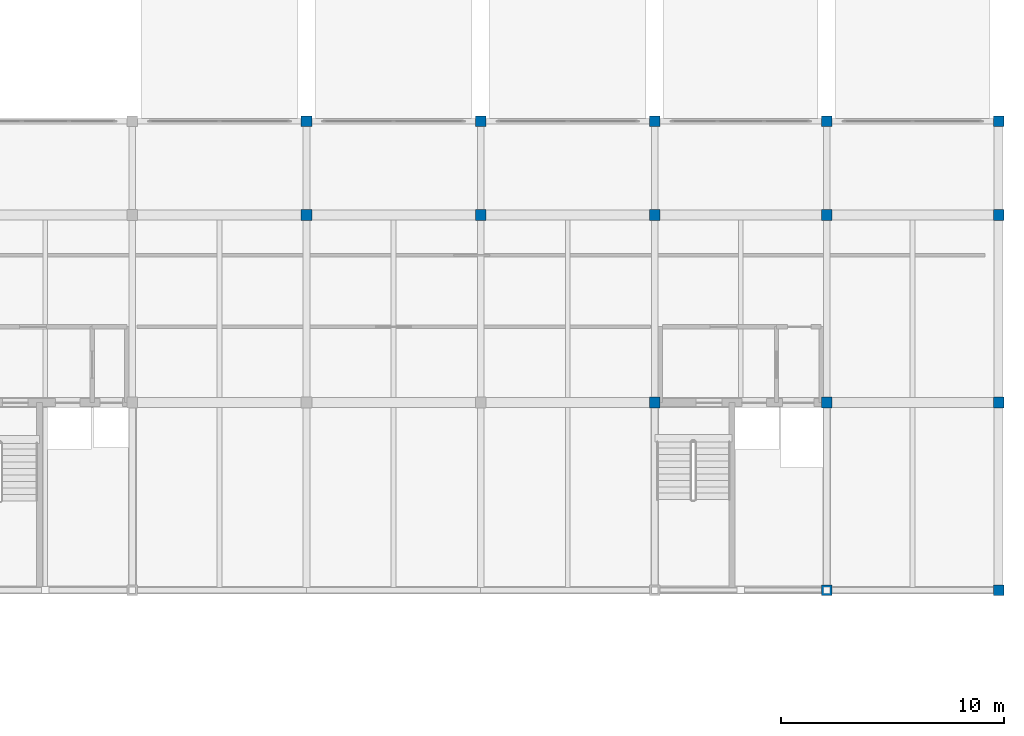
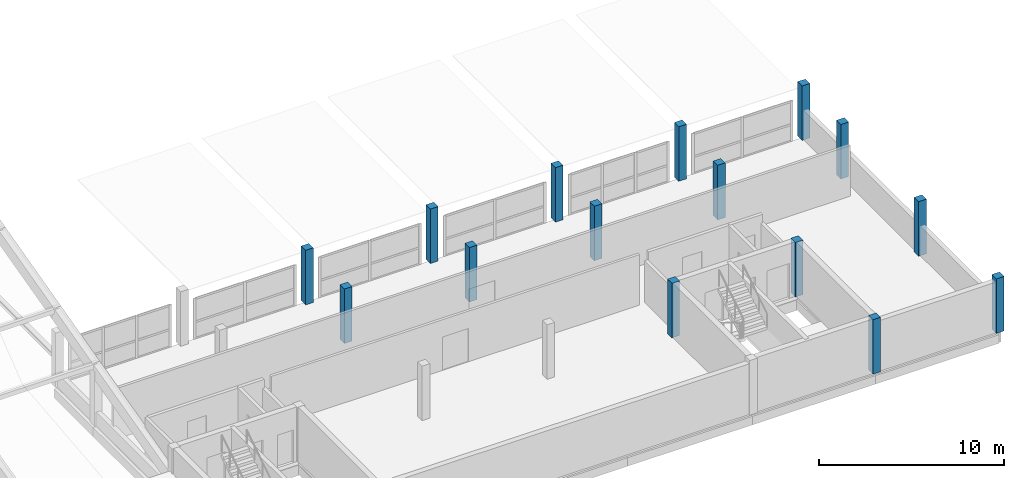
# One storey, part 7 of 51: 15 columns.
"""IFC4 building model written with IfcOpenShell, lengths in metres."""

import ifcopenshell
import ifcopenshell.guid

model = None  # the IFC model being written
_history = None  # IfcOwnerHistory: only IFC2X3 demands one
_inside = {}  # id of a spatial element -> (the spatial element, [elements in it])
_under = {}  # id of a project, library or spatial element -> (it, [spatial elements below it])
_declared = {}  # id of a project -> (the project, [libraries it declares])
_typed = {}  # id of a type object -> (the type object, [elements of that type])
_made_of = {}  # id of a material, layer set ... -> (it, [elements and type objects made of it])


def new_model(schema):
    """Start an empty IFC model of exactly this schema.

    Asked for "IFC4X3", IfcOpenShell would pick the latest addendum, in which some entities
    have other attributes; the version numbers below select the first issue.
    IFC2X3 requires an IfcOwnerHistory on every rooted entity: one is made here for all.
    """
    global model, _history
    if schema == "IFC4X3":
        model = ifcopenshell.file(schema_version=(4, 3, 0, 0))
    else:
        model = ifcopenshell.file(schema=schema)
    _inside.clear()
    _under.clear()
    _declared.clear()
    _typed.clear()
    _made_of.clear()
    _history = None
    if model.schema == "IFC2X3":
        org = make("IfcOrganization", Name="unknown")
        user = make(
            "IfcPersonAndOrganization",
            ThePerson=make("IfcPerson", FamilyName="unknown"),
            TheOrganization=org,
        )
        app = make(
            "IfcApplication",
            ApplicationDeveloper=org,
            Version="unknown",
            ApplicationFullName="unknown",
            ApplicationIdentifier="unknown",
        )
        _history = make(
            "IfcOwnerHistory",
            OwningUser=user,
            OwningApplication=app,
            ChangeAction="ADDED",
            CreationDate=0,
        )
    return model


def make(cls, **values):
    """One entity of the class cls with the attributes given. An attribute that is None is left unset."""
    return model.create_entity(
        cls, **{name: value for name, value in values.items() if value is not None}
    )


def rooted(cls, **values):
    """An entity with a GlobalId (a new one), such as an element, a storey or a relation."""
    return make(cls, GlobalId=ifcopenshell.guid.new(), OwnerHistory=_history, **values)


def si_unit(unit_type, name, prefix=None):
    """IfcSIUnit, for example si_unit("LENGTHUNIT", "METRE", prefix="MILLI")."""
    return make("IfcSIUnit", UnitType=unit_type, Prefix=prefix, Name=name)


def assignment(units):
    """IfcUnitAssignment: the units of a project."""
    return None if units is None else make("IfcUnitAssignment", Units=units)


def point(xyz):
    """IfcCartesianPoint."""
    return None if xyz is None else make("IfcCartesianPoint", Coordinates=xyz)


def direction(xyz):
    """IfcDirection."""
    return None if xyz is None else make("IfcDirection", DirectionRatios=xyz)


def frame(location, z_axis=None, x_axis=None):
    """IfcAxis2Placement3D, a coordinate frame: its origin and axes. An axis left out is left unset."""
    return make(
        "IfcAxis2Placement3D",
        Location=point(location),
        Axis=direction(z_axis),
        RefDirection=direction(x_axis),
    )


def frame_2d(location, x_axis=None):
    """IfcAxis2Placement2D, a coordinate frame in the plane: its origin and x axis."""
    return make(
        "IfcAxis2Placement2D", Location=point(location), RefDirection=direction(x_axis)
    )


def origin():
    """The frame at (0, 0, 0) with its axes left unset."""
    return frame((0.0, 0.0, 0.0))


def origin_2d():
    """The frame at (0, 0) in the plane with its x axis left unset."""
    return frame_2d((0.0, 0.0))


def place(relative_to, where):
    """IfcLocalPlacement: puts the frame where relative to a parent placement (None: the world)."""
    return make(
        "IfcLocalPlacement", PlacementRelTo=relative_to, RelativePlacement=where
    )


def context(
    kind, dimensions, precision=None, world=None, true_north=None, identifier=None
):
    """IfcGeometricRepresentationContext, for example the 3D "Model" context."""
    return make(
        "IfcGeometricRepresentationContext",
        ContextIdentifier=identifier,
        ContextType=kind,
        CoordinateSpaceDimension=dimensions,
        Precision=precision,
        WorldCoordinateSystem=world,
        TrueNorth=true_north,
    )


def subcontext(parent, identifier, kind, view, scale=None):
    """IfcGeometricRepresentationSubContext, for example "Body" below "Model"."""
    return make(
        "IfcGeometricRepresentationSubContext",
        ContextIdentifier=identifier,
        ContextType=kind,
        ParentContext=parent,
        TargetScale=scale,
        TargetView=view,
    )


def project(units=None, contexts=None):
    """IfcProject with its units and contexts."""
    return rooted(
        "IfcProject",
        Name="project",
        RepresentationContexts=contexts,
        UnitsInContext=assignment(units),
    )


def spatial(cls, under=None, at=None, **own):
    """A site, building, storey or space (cls), placed at a placement, below another one or the project."""
    s = rooted(cls, ObjectPlacement=at, **own)
    if under is not None:
        _under.setdefault(under.id(), (under, []))[1].append(s)
    return s


def profile(cls, at=None, kind="AREA", **sizes):
    """A parametric profile (cls). Its sizes go by their IFC names, for example OverallWidth=200.0."""
    return make(cls, ProfileType=kind, Position=at, **sizes)


def rectangle(**sizes):
    """IfcRectangleProfileDef."""
    return profile("IfcRectangleProfileDef", **sizes)


def extrude(swept, where, along, depth):
    """IfcExtrudedAreaSolid: the profile swept, set in the frame where, extruded along a direction by depth."""
    return make(
        "IfcExtrudedAreaSolid",
        SweptArea=swept,
        Position=where,
        ExtrudedDirection=direction(along),
        Depth=depth,
    )


def shape(context_of_items, identifier, shape_type, items):
    """IfcShapeRepresentation: the items that make up one representation, for example the "Body"."""
    return make(
        "IfcShapeRepresentation",
        ContextOfItems=context_of_items,
        RepresentationIdentifier=identifier,
        RepresentationType=shape_type,
        Items=items,
    )


def material(Name=None, Category=None):
    """IfcMaterial."""
    return make("IfcMaterial", Name=Name, Category=Category)


def material_profile(
    of_material, cross_section, Name=None, Category=None, Priority=None
):
    """IfcMaterialProfile: a cross section and its material."""
    return make(
        "IfcMaterialProfile",
        Name=Name,
        Material=of_material,
        Profile=cross_section,
        Priority=Priority,
        Category=Category,
    )


def profile_set(profiles, Name=None, composite=None):
    """IfcMaterialProfileSet."""
    return make(
        "IfcMaterialProfileSet",
        Name=Name,
        MaterialProfiles=profiles,
        CompositeProfile=composite,
    )


def made_of(thing, what):
    """Note that an element or type object is made of a material, layer set ...; save() writes the relation."""
    if what is not None:
        _made_of.setdefault(what.id(), (what, []))[1].append(thing)
    return thing


def type_object(cls, material=None, **own):
    """A type object (cls), such as IfcWallType, which elements share."""
    return made_of(rooted(cls, **own), material)


def element(
    cls,
    number,
    at=None,
    inside=None,
    cuts=None,
    type_object=None,
    material=None,
    context=None,
    identifier="Body",
    shape_type=None,
    held_by="IfcProductDefinitionShape",
    body=None,
    shapes=None,
    **own,
):
    """One element of the class cls, such as IfcWall. Its Tag is "e" and its number.

    at: its placement. inside: the storey or other place that contains it. cuts: it is an
    opening in that element (IfcRelVoidsElement). A single representation is given by context,
    identifier, shape_type and body (its items); several are given by shapes. held_by: the class
    of the entity that holds the representations. save() writes the other relations.
    """
    e = rooted(cls, Tag="e%d" % number, ObjectPlacement=at, **own)
    if body is not None:
        shapes = [shape(context, identifier, shape_type, body)]
    if shapes is not None:
        e.Representation = make(held_by, Representations=shapes)
    if inside is not None:
        _inside.setdefault(inside.id(), (inside, []))[1].append(e)
    if cuts is not None:
        rooted(
            "IfcRelVoidsElement", RelatingBuildingElement=cuts, RelatedOpeningElement=e
        )
    if type_object is not None:
        _typed.setdefault(type_object.id(), (type_object, []))[1].append(e)
    return made_of(e, material)


def aggregate(whole, parts):
    """IfcRelAggregates: a whole, such as a stair, and the parts it consists of."""
    return rooted("IfcRelAggregates", RelatingObject=whole, RelatedObjects=parts)


def save(model, path):
    """Write the relations noted so far, then the file.

    IfcRelAggregates (storeys below a building ...), IfcRelContainedInSpatialStructure (elements
    in a storey), IfcRelDefinesByType, IfcRelAssociatesMaterial and IfcRelDeclares: one each for
    every whole, place, type object, material and project.
    """
    for whole, parts in _under.values():
        aggregate(whole, parts)
    for where, things in _inside.values():
        rooted(
            "IfcRelContainedInSpatialStructure",
            RelatedElements=things,
            RelatingStructure=where,
        )
    for kind, things in _typed.values():
        rooted("IfcRelDefinesByType", RelatedObjects=things, RelatingType=kind)
    for what, things in _made_of.values():
        rooted("IfcRelAssociatesMaterial", RelatedObjects=things, RelatingMaterial=what)
    for by, libraries in _declared.values():
        rooted("IfcRelDeclares", RelatingContext=by, RelatedDefinitions=libraries)
    model.write(path)


model = new_model("IFC4")

# Units and contexts
model_context = context("Model", 3, precision=1e-05, world=origin(), true_north=direction((0.0, 1.0)))
body_context = subcontext(model_context, "Body", "Model", "MODEL_VIEW")
ifc_project = project(units=[si_unit("LENGTHUNIT", "METRE"), si_unit("AREAUNIT", "SQUARE_METRE"), si_unit("VOLUMEUNIT", "CUBIC_METRE"), si_unit("PLANEANGLEUNIT", "RADIAN"), si_unit("MASSUNIT", "GRAM", prefix="KILO")], contexts=[model_context])

# Site, building, storey
site_placement = place(None, origin())
site = spatial("IfcSite", under=ifc_project, at=site_placement, CompositionType="ELEMENT")
building_placement = place(site_placement, origin())
building = spatial("IfcBuilding", under=site, at=building_placement, Name="Vharandega Faculty of Natural Sciences", CompositionType="ELEMENT")
storey_placement = place(building_placement, frame((0.0, 0.0, 18.0)))
storey = spatial("IfcBuildingStorey", under=building, at=storey_placement, Name="L04", CompositionType="ELEMENT", Elevation=18.0)

# Columns
ifc_material = material(Name="Glulam GL32h", Category="wood")
ifc_material_profile = material_profile(ifc_material, rectangle(XDim=0.47998046875, YDim=0.47998046875, at=origin_2d()), Name="GL32h 480x480")
ifc_profile_set = profile_set([ifc_material_profile], Name="Glulam GL32h")
column_type = type_object("IfcColumnType", Name="Glulam Column 480x480", PredefinedType="COLUMN", material=ifc_profile_set)
for number, where, z_axis, x_axis, name in (
    (1, (130.39990234375, 80.800048828125, 0.0), (0.0, 0.0, 1.0), (1.0, 0.0, 0.0), "Column 17/L L04"),
    (2, (130.39990234375, 85.0, 0.0), (0.0, 0.0, 1.0), (1.0, 0.0, 0.0), "Column 17/M L04"),
    (3, (138.199951171875, 80.800048828125, 0.0), (0.0, 0.0, 1.0), (1.0, 0.0, 0.0), "Column 18/L L04"),
    (4, (138.199951171875, 85.0, 0.0), (0.0, 0.0, 1.0), (1.0, 0.0, 0.0), "Column 18/M L04"),
    (5, (146.0, 72.39990234375, 0.0), (0.0, 0.0, 1.0), (1.0, 0.0, 0.0), "Column 19/K L04"),
    (6, (146.0, 80.800048828125, 0.0), (0.0, 0.0, 1.0), (1.0, 0.0, 0.0), "Column 19/L L04"),
    (7, (146.0, 85.0, 0.0), (0.0, 0.0, 1.0), (1.0, 0.0, 0.0), "Column 19/M L04"),
    (8, (153.699951171875, 64.0, 0.0), (0.0, 0.0, 1.0), (1.0, 0.0, 0.0), "Column 20/J L04"),
    (9, (153.699951171875, 72.39990234375, 0.0), (0.0, 0.0, 1.0), (1.0, 0.0, 0.0), "Column 20/K L04"),
    (10, (153.699951171875, 80.800048828125, 0.0), (0.0, 0.0, 1.0), (1.0, 0.0, 0.0), "Column 20/L L04"),
    (11, (153.699951171875, 85.0, 0.0), (0.0, 0.0, 1.0), (1.0, 0.0, 0.0), "Column 20/M L04"),
    (12, (161.39990234375, 64.0, 0.0), (0.0, 0.0, 1.0), (1.0, 0.0, 0.0), "Column 21/J L04"),
    (13, (161.39990234375, 72.39990234375, 0.0), (0.0, 0.0, 1.0), (1.0, 0.0, 0.0), "Column 21/K L04"),
    (14, (161.39990234375, 80.800048828125, 0.0), (0.0, 0.0, 1.0), (1.0, 0.0, 0.0), "Column 21/L L04"),
    (15, (161.39990234375, 85.0, 0.0), (0.0, 0.0, 1.0), (1.0, 0.0, 0.0), "Column 21/M L04"),
):
    element("IfcColumn", number, at=place(storey_placement, frame(where, z_axis=z_axis, x_axis=x_axis)), inside=storey, type_object=column_type, Name=name, PredefinedType="COLUMN", context=body_context, shape_type="SweptSolid", body=[
        extrude(rectangle(XDim=0.47998046875, YDim=0.47998046875, at=origin_2d()), origin(), (0.0, 0.0, 1.0), 3.60009765625),
    ])

save(model, "model.ifc")
